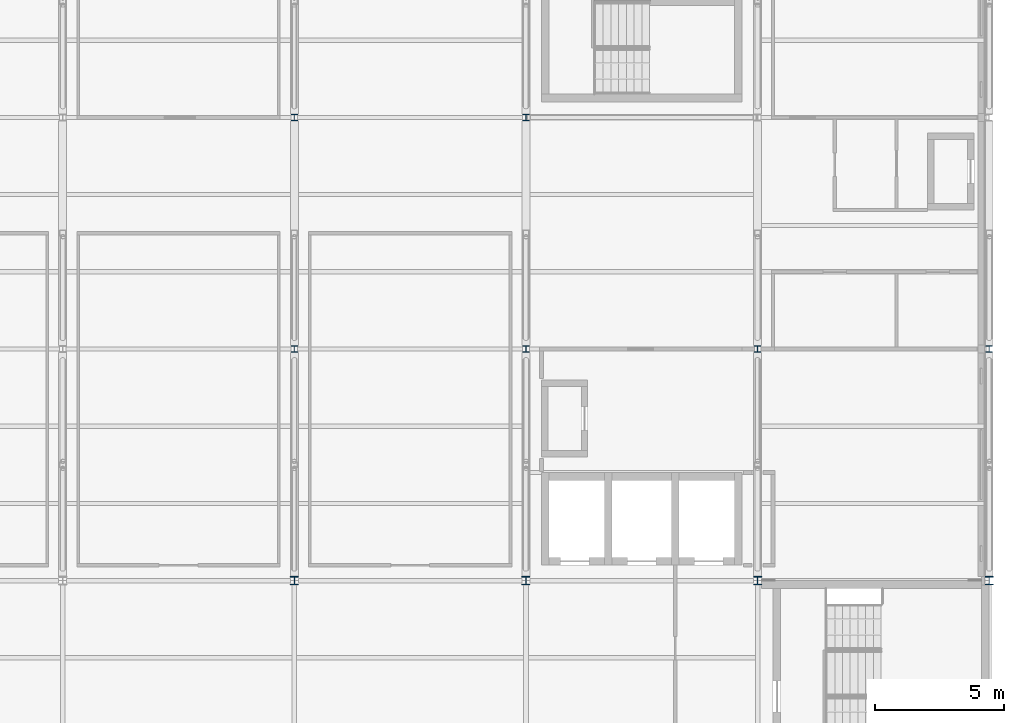
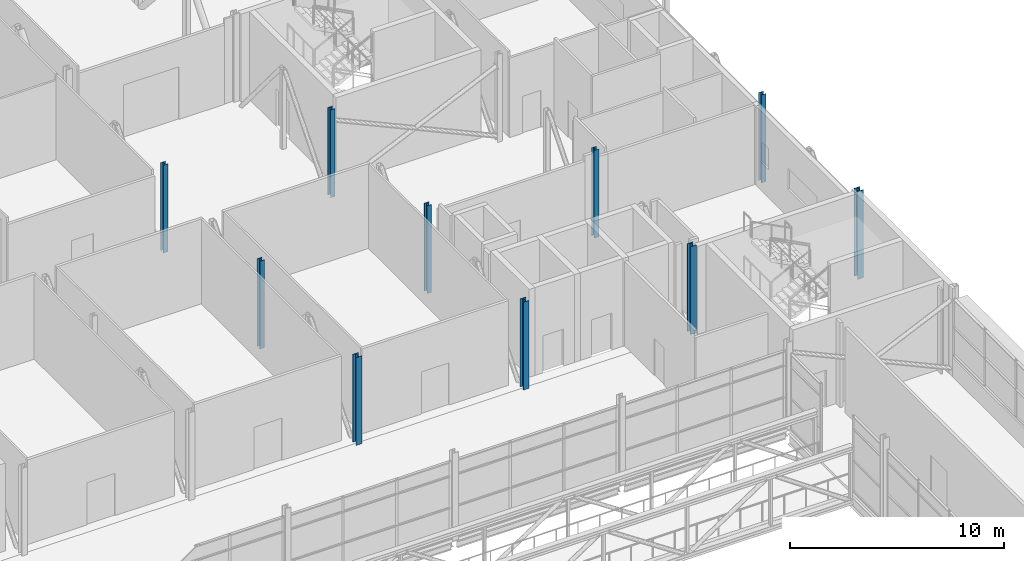
# One storey, part 7 of 94: 10 columns.
"""IFC4 building model written with IfcOpenShell, lengths in metres."""

from ifc_helpers import new_model, si_unit, direction, frame, origin, origin_2d, place, context, subcontext, project, spatial, i_section, extrude, material, material_profile, profile_set, type_object, element, save


model = new_model("IFC4")

# Units and contexts
model_context = context("Model", 3, precision=1e-05, world=origin(), true_north=direction((0.0, 1.0)))
body_context = subcontext(model_context, "Body", "Model", "MODEL_VIEW")
ifc_project = project(units=[si_unit("LENGTHUNIT", "METRE"), si_unit("AREAUNIT", "SQUARE_METRE"), si_unit("VOLUMEUNIT", "CUBIC_METRE"), si_unit("PLANEANGLEUNIT", "RADIAN"), si_unit("MASSUNIT", "GRAM", prefix="KILO")], contexts=[model_context])

# Site, building, storey
site_placement = place(None, origin())
site = spatial("IfcSite", under=ifc_project, at=site_placement, CompositionType="ELEMENT")
building_placement = place(site_placement, origin())
building = spatial("IfcBuilding", under=site, at=building_placement, Name="Shorebreak Coast Museum", CompositionType="ELEMENT")
storey_placement = place(building_placement, frame((0.0, 0.0, 31.0)))
storey = spatial("IfcBuildingStorey", under=building, at=storey_placement, Name="L05", CompositionType="ELEMENT", Elevation=31.0)

# Columns
ifc_material_1 = material(Name="Steel Grade 300", Category="steel")
ifc_material_profile_1 = material_profile(ifc_material_1, i_section(OverallWidth=0.25390625, OverallDepth=0.25390625, WebThickness=0.008544921875, FlangeThickness=0.01416015625, FilletRadius=0.013916015625, at=origin_2d()), Name="250UC72.9")
ifc_profile_set_1 = profile_set([ifc_material_profile_1], Name="Steel Grade 300")
column_type_1 = type_object("IfcColumnType", Name="Column 250UC72.9", PredefinedType="COLUMN", material=ifc_profile_set_1)
for number, where, z_axis, x_axis, name in (
    (1, (90.0, 99.0, 0.0), (0.0, 0.0, 1.0), (1.0, 0.0, 0.0), "Column L05 11M"),
    (2, (99.0, 99.0, 0.0), (0.0, 0.0, 1.0), (1.0, 0.0, 0.0), "Column L05 12M"),
    (3, (108.0, 99.0, 0.0), (0.0, 0.0, 1.0), (1.0, 0.0, 0.0), "Column L05 13M"),
    (4, (117.0, 99.0, 0.0), (0.0, 0.0, 1.0), (1.0, 0.0, 0.0), "Column L05 14M"),
    (5, (90.0, 108.0, 0.0), (0.0, 0.0, 1.0), (1.0, 0.0, 0.0), "Column L05 11N"),
    (6, (99.0, 108.0, 0.0), (0.0, 0.0, 1.0), (1.0, 0.0, 0.0), "Column L05 12N"),
):
    element("IfcColumn", number, at=place(storey_placement, frame(where, z_axis=z_axis, x_axis=x_axis)), inside=storey, type_object=column_type_1, Name=name, PredefinedType="COLUMN", context=body_context, shape_type="SweptSolid", body=[
        extrude(i_section(OverallWidth=0.25390625, OverallDepth=0.25390625, WebThickness=0.008544921875, FlangeThickness=0.01416015625, FilletRadius=0.013916015625, at=origin_2d()), origin(), (0.0, 0.0, 1.0), 5.0),
    ])
ifc_material_2 = material(Name="Steel Grade 300", Category="steel")
ifc_material_profile_2 = material_profile(ifc_material_2, i_section(OverallWidth=0.31103515625, OverallDepth=0.3271484375, WebThickness=0.015625, FlangeThickness=0.02490234375, FilletRadius=0.0166015625, at=origin_2d()), Name="310UC158")
ifc_profile_set_2 = profile_set([ifc_material_profile_2], Name="Steel Grade 300")
column_type_2 = type_object("IfcColumnType", Name="Column 310UC158", PredefinedType="COLUMN", material=ifc_profile_set_2)
for number, where, z_axis, x_axis, name in (
    (7, (90.0, 90.0, 0.0), (0.0, 0.0, 1.0), (1.0, 0.0, 0.0), "Column L05 11L"),
    (8, (99.0, 90.0, 0.0), (0.0, 0.0, 1.0), (1.0, 0.0, 0.0), "Column L05 12L"),
    (9, (108.0, 90.0, 0.0), (0.0, 0.0, 1.0), (1.0, 0.0, 0.0), "Column L05 13L"),
    (10, (117.0, 90.0, 0.0), (0.0, 0.0, 1.0), (1.0, 0.0, 0.0), "Column L05 14L"),
):
    element("IfcColumn", number, at=place(storey_placement, frame(where, z_axis=z_axis, x_axis=x_axis)), inside=storey, type_object=column_type_2, Name=name, PredefinedType="COLUMN", context=body_context, shape_type="SweptSolid", body=[
        extrude(i_section(OverallWidth=0.31103515625, OverallDepth=0.3271484375, WebThickness=0.015625, FlangeThickness=0.02490234375, FilletRadius=0.0166015625, at=origin_2d()), origin(), (0.0, 0.0, 1.0), 5.0),
    ])

save(model, "model.ifc")
